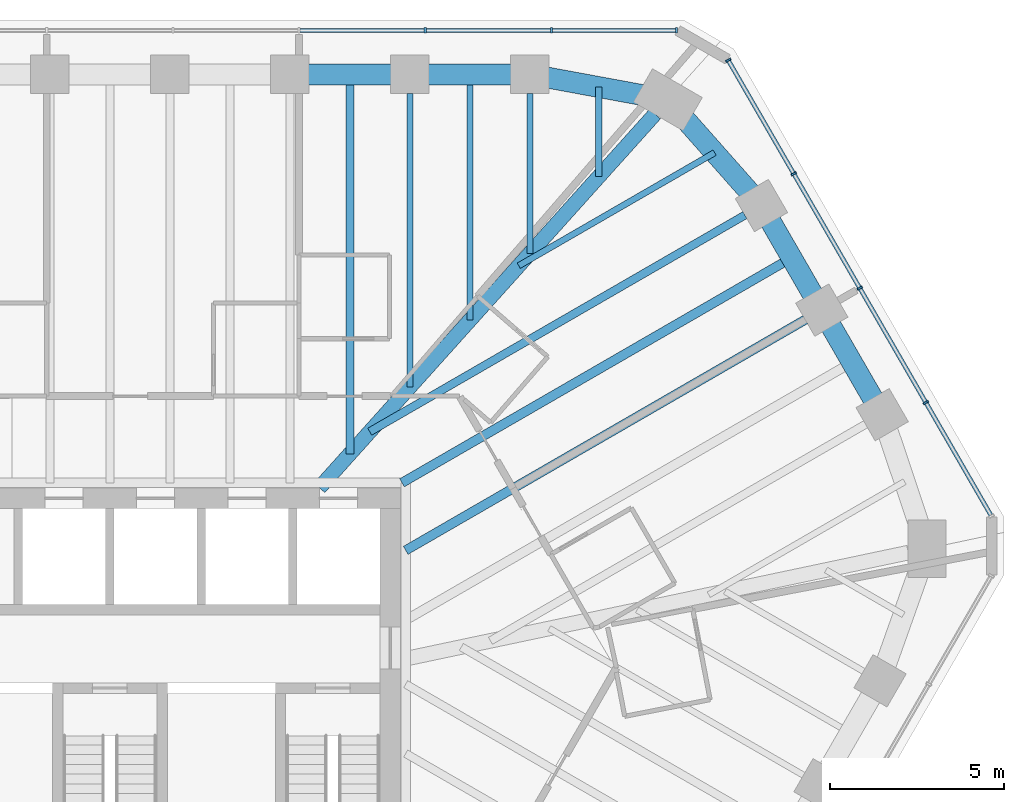
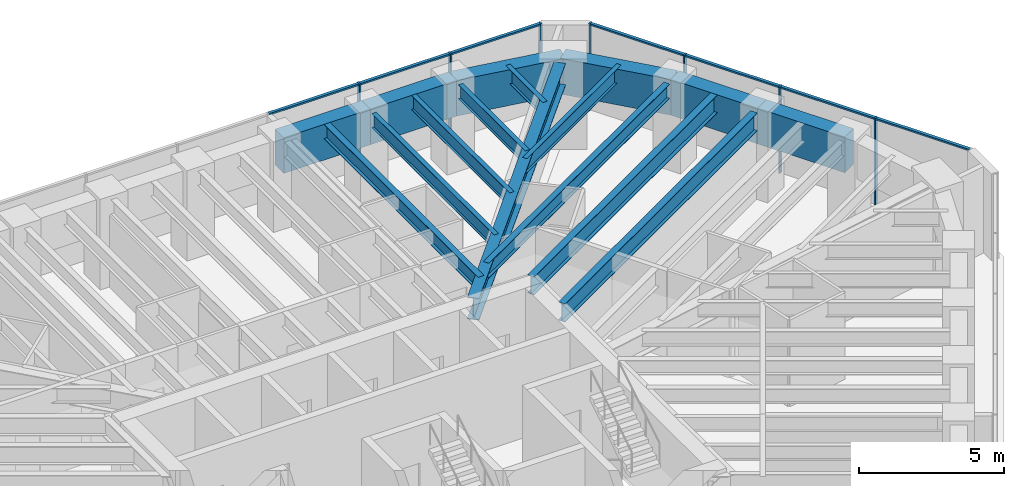
# One storey, part 7 of 14: 16 beams, 14 members, 2 elements without a shape of their own.
"""IFC4 building model written with IfcOpenShell, lengths in metres."""

from ifc_helpers import new_model, si_unit, direction, frame, origin, origin_2d, place, context, subcontext, project, spatial, rectangle, i_section, extrude, material, material_profile, profile_set, type_object, element, aggregate, save


model = new_model("IFC4")

# Units and contexts
model_context = context("Model", 3, precision=1e-05, world=origin(), true_north=direction((0.0, 1.0)))
body_context = subcontext(model_context, "Body", "Model", "MODEL_VIEW")
ifc_project = project(units=[si_unit("LENGTHUNIT", "METRE"), si_unit("AREAUNIT", "SQUARE_METRE"), si_unit("VOLUMEUNIT", "CUBIC_METRE"), si_unit("PLANEANGLEUNIT", "RADIAN"), si_unit("MASSUNIT", "GRAM", prefix="KILO")], contexts=[model_context])

# Site, building, storey
site_placement = place(None, origin())
site = spatial("IfcSite", under=ifc_project, at=site_placement, CompositionType="ELEMENT")
building_placement = place(site_placement, origin())
building = spatial("IfcBuilding", under=site, at=building_placement, Name="Sandreach Pilgrim Tower", CompositionType="ELEMENT")
storey_placement = place(building_placement, frame((0.0, 0.0, 283.60009765625)))
storey = spatial("IfcBuildingStorey", under=building, at=storey_placement, Name="L71", CompositionType="ELEMENT", Elevation=283.60009765625)

# Curtain wall, members
ifc_material_1 = material(Name="Aluminium framed curtain wall", Category="aluminium")
curtain_wall_type = type_object("IfcCurtainWallType", Name="Suite tower curtain wall", PredefinedType="NOTDEFINED", material=ifc_material_1)
curtain_wall_1_placement = place(storey_placement, origin())
curtain_wall_1 = element("IfcCurtainWall", 1, at=curtain_wall_1_placement, inside=storey, type_object=curtain_wall_type, Name="CW-4 L71 N", PredefinedType="NOTDEFINED")
ifc_material_2 = material(Name="Aluminium extrusion", Category="aluminium")
ifc_material_profile_1 = material_profile(ifc_material_2, rectangle(XDim=0.06005859375, YDim=0.159912109375, at=origin_2d()), Name="CW-4M 60X160")
ifc_profile_set_1 = profile_set([ifc_material_profile_1], Name="Aluminium extrusion")
member_type_1 = type_object("IfcMemberType", Name="CW-4 mullion", PredefinedType="MULLION", material=ifc_profile_set_1)
member_1_placement = place(storey_placement, frame((9.0546875, 19.826416015625, 0.0), z_axis=(0.0, 0.0, 1.0), x_axis=(1.0, 0.0, 0.0)))
member_1 = element("IfcMember", 2, at=member_1_placement, type_object=member_type_1, Name="CW-4 mullion 8", PredefinedType="MULLION", context=body_context, shape_type="SweptSolid", body=[
    extrude(rectangle(XDim=0.06005859375, YDim=0.159912109375, at=origin_2d()), origin(), (0.0, 0.0, 1.0), 3.639892578125),
])
member_2_placement = place(storey_placement, frame((12.676513671875, 19.826416015625, 0.0), z_axis=(0.0, 0.0, 1.0), x_axis=(1.0, 0.0, 0.0)))
member_2 = element("IfcMember", 3, at=member_2_placement, type_object=member_type_1, Name="CW-4 mullion 9", PredefinedType="MULLION", context=body_context, shape_type="SweptSolid", body=[
    extrude(rectangle(XDim=0.06005859375, YDim=0.159912109375, at=origin_2d()), origin(), (0.0, 0.0, 1.0), 3.639892578125),
])
member_3_placement = place(storey_placement, frame((16.268310546875, 19.826416015625, 0.0), z_axis=(0.0, 0.0, 1.0), x_axis=(1.0, 0.0, 0.0)))
member_3 = element("IfcMember", 4, at=member_3_placement, type_object=member_type_1, Name="CW-4 mullion 10", PredefinedType="MULLION", context=body_context, shape_type="SweptSolid", body=[
    extrude(rectangle(XDim=0.06005859375, YDim=0.159912109375, at=origin_2d()), origin(), (0.0, 0.0, 1.0), 3.639892578125),
])

curtain_wall_2_placement = place(storey_placement, origin())
curtain_wall_2 = element("IfcCurtainWall", 5, at=curtain_wall_2_placement, inside=storey, type_object=curtain_wall_type, Name="CW-4 L71 NE", PredefinedType="NOTDEFINED")
member_4_placement = place(storey_placement, frame((17.7509765625, 18.970458984375, 0.0), z_axis=(0.0, 0.0, 1.0), x_axis=(0.5, -0.866025403784, 0.0)))
member_4 = element("IfcMember", 6, at=member_4_placement, type_object=member_type_1, Name="CW-4 mullion 1", PredefinedType="MULLION", context=body_context, shape_type="SweptSolid", body=[
    extrude(rectangle(XDim=0.06005859375, YDim=0.159912109375, at=origin_2d()), origin(), (0.0, 0.0, 1.0), 3.639892578125),
])
member_5_placement = place(storey_placement, frame((19.6318359375, 15.712646484375, 0.0), z_axis=(0.0, 0.0, 1.0), x_axis=(0.5, -0.866025403784, 0.0)))
member_5 = element("IfcMember", 7, at=member_5_placement, type_object=member_type_1, Name="CW-4 mullion 2", PredefinedType="MULLION", context=body_context, shape_type="SweptSolid", body=[
    extrude(rectangle(XDim=0.06005859375, YDim=0.159912109375, at=origin_2d()), origin(), (0.0, 0.0, 1.0), 3.639892578125),
])
member_6_placement = place(storey_placement, frame((21.527587890625, 12.428955078125, 0.0), z_axis=(0.0, 0.0, 1.0), x_axis=(0.5, -0.866025403784, 0.0)))
member_6 = element("IfcMember", 8, at=member_6_placement, type_object=member_type_1, Name="CW-4 mullion 3", PredefinedType="MULLION", context=body_context, shape_type="SweptSolid", body=[
    extrude(rectangle(XDim=0.06005859375, YDim=0.159912109375, at=origin_2d()), origin(), (0.0, 0.0, 1.0), 3.639892578125),
])
member_7_placement = place(storey_placement, frame((23.423583984375, 9.145263671875, 0.0), z_axis=(0.0, 0.0, 1.0), x_axis=(0.5, -0.866025403784, 0.0)))
member_7 = element("IfcMember", 9, at=member_7_placement, type_object=member_type_1, Name="CW-4 mullion 4", PredefinedType="MULLION", context=body_context, shape_type="SweptSolid", body=[
    extrude(rectangle(XDim=0.06005859375, YDim=0.159912109375, at=origin_2d()), origin(), (0.0, 0.0, 1.0), 3.639892578125),
])

# Member
ifc_material_3 = material(Name="Aluminium extrusion", Category="aluminium")
ifc_material_profile_2 = material_profile(ifc_material_3, rectangle(XDim=0.1201171875, YDim=0.070068359375, at=origin_2d()), Name="CW-4T 120X70")
ifc_profile_set_2 = profile_set([ifc_material_profile_2], Name="Aluminium extrusion")
member_type_2 = type_object("IfcMemberType", Name="CW-4 transom", PredefinedType="USERDEFINED", material=ifc_profile_set_2)
member_8_placement = place(storey_placement, frame((5.462890625, 19.826416015625, 3.60498046875), z_axis=(1.0, 0.0, 0.0), x_axis=(0.0, 1.0, 0.0)))
member_8 = element("IfcMember", 10, at=member_8_placement, type_object=member_type_2, Name="CW-4 head transom 7", ObjectType="TRANSOM", PredefinedType="USERDEFINED", context=body_context, shape_type="SweptSolid", body=[
    extrude(rectangle(XDim=0.1201171875, YDim=0.070068359375, at=origin_2d()), origin(), (0.0, 0.0, 1.0), 3.561767578125),
])

member_9_placement = place(storey_placement, frame((9.084716796875, 19.826416015625, 3.60498046875), z_axis=(1.0, 0.0, 0.0), x_axis=(0.0, 1.0, 0.0)))
member_9 = element("IfcMember", 11, at=member_9_placement, type_object=member_type_2, Name="CW-4 head transom 8", ObjectType="TRANSOM", PredefinedType="USERDEFINED", context=body_context, shape_type="SweptSolid", body=[
    extrude(rectangle(XDim=0.1201171875, YDim=0.070068359375, at=origin_2d()), origin(), (0.0, 0.0, 1.0), 3.561767578125),
])

member_10_placement = place(storey_placement, frame((12.70654296875, 19.826416015625, 3.60498046875), z_axis=(1.0, 0.0, 0.0), x_axis=(0.0, 1.0, 0.0)))
member_10 = element("IfcMember", 12, at=member_10_placement, type_object=member_type_2, Name="CW-4 head transom 9", ObjectType="TRANSOM", PredefinedType="USERDEFINED", context=body_context, shape_type="SweptSolid", body=[
    extrude(rectangle(XDim=0.1201171875, YDim=0.070068359375, at=origin_2d()), origin(), (0.0, 0.0, 1.0), 3.53173828125),
])

aggregate(curtain_wall_1, [member_1, member_2, member_3, member_8, member_9, member_10])

member_11_placement = place(storey_placement, frame((17.76611328125, 18.944580078125, 3.60498046875), z_axis=(0.499990780478, -0.866030726613, 0.0), x_axis=(0.866030726613, 0.499990780478, 0.0)))
member_11 = element("IfcMember", 13, at=member_11_placement, type_object=member_type_2, Name="CW-4 head transom 1", ObjectType="TRANSOM", PredefinedType="USERDEFINED", context=body_context, shape_type="SweptSolid", body=[
    extrude(rectangle(XDim=0.1201171875, YDim=0.070068359375, at=origin_2d()), origin(), (0.0, 0.0, 1.0), 3.70166015625),
])

member_12_placement = place(storey_placement, frame((19.646728515625, 15.686767578125, 3.60498046875), z_axis=(0.500030151002, -0.866007995396, 0.0), x_axis=(0.866007995396, 0.500030151002, 0.0)))
member_12 = element("IfcMember", 14, at=member_12_placement, type_object=member_type_2, Name="CW-4 head transom 2", ObjectType="TRANSOM", PredefinedType="USERDEFINED", context=body_context, shape_type="SweptSolid", body=[
    extrude(rectangle(XDim=0.1201171875, YDim=0.070068359375, at=origin_2d()), origin(), (0.0, 0.0, 1.0), 3.731689453125),
])

member_13_placement = place(storey_placement, frame((21.542724609375, 12.403076171875, 3.60498046875), z_axis=(0.499981083104, -0.866036325184, 0.0), x_axis=(0.866036325184, 0.499981083104, 0.0)))
member_13 = element("IfcMember", 15, at=member_13_placement, type_object=member_type_2, Name="CW-4 head transom 3", ObjectType="TRANSOM", PredefinedType="USERDEFINED", context=body_context, shape_type="SweptSolid", body=[
    extrude(rectangle(XDim=0.1201171875, YDim=0.070068359375, at=origin_2d()), origin(), (0.0, 0.0, 1.0), 3.731689453125),
])

member_14_placement = place(storey_placement, frame((23.4384765625, 9.119384765625, 3.60498046875), z_axis=(0.499990780478, -0.866030726613, 0.0), x_axis=(0.866030726613, 0.499990780478, 0.0)))
member_14 = element("IfcMember", 16, at=member_14_placement, type_object=member_type_2, Name="CW-4 head transom 4", ObjectType="TRANSOM", PredefinedType="USERDEFINED", context=body_context, shape_type="SweptSolid", body=[
    extrude(rectangle(XDim=0.1201171875, YDim=0.070068359375, at=origin_2d()), origin(), (0.0, 0.0, 1.0), 3.70166015625),
])

aggregate(curtain_wall_2, [member_4, member_5, member_6, member_7, member_11, member_12, member_13, member_14])

# Beams
ifc_material_4 = material(Name="Steel ASTM A992 Grade 50", Category="steel")
ifc_material_profile_3 = material_profile(ifc_material_4, i_section(OverallWidth=0.419189453125, OverallDepth=0.927001953125, WebThickness=0.019287109375, FlangeThickness=0.031982421875, at=origin_2d()), Name="W36X231")
ifc_profile_set_3 = profile_set([ifc_material_profile_3], Name="Steel ASTM A992 Grade 50")
beam_type_1 = type_object("IfcBeamType", Name="Corner girder W36X231", PredefinedType="BEAM", material=ifc_profile_set_3)
beam_1_placement = place(storey_placement, frame((15.649169921875, 17.427978515625, 3.17626953125), z_axis=(-0.668114851597, -0.74405815974, 0.0), x_axis=(0.74405815974, -0.668114851597, 0.0)))
element("IfcBeam", 17, at=beam_1_placement, inside=storey, type_object=beam_type_1, Name="BM L71 CG09", PredefinedType="BEAM", context=body_context, shape_type="SweptSolid", body=[
    extrude(i_section(OverallWidth=0.419189453125, OverallDepth=0.927001953125, WebThickness=0.019287109375, FlangeThickness=0.031982421875, at=origin_2d()), origin(), (0.0, 0.0, 1.0), 14.418212890625),
])
ifc_material_5 = material(Name="Steel ASTM A992 Grade 50", Category="steel")
ifc_material_profile_4 = material_profile(ifc_material_5, i_section(OverallWidth=0.1787109375, OverallDepth=0.60205078125, WebThickness=0.010986328125, FlangeThickness=0.014892578125, at=origin_2d()), Name="W24X62")
ifc_profile_set_4 = profile_set([ifc_material_profile_4], Name="Steel ASTM A992 Grade 50")
beam_type_2 = type_object("IfcBeamType", Name="Floor beam W24X62", PredefinedType="BEAM", material=ifc_profile_set_4)
beam_2_placement = place(storey_placement, frame((8.612548828125, 18.016357421875, 3.3388671875), z_axis=(0.0, -1.0, 0.0), x_axis=(1.0, 0.0, 0.0)))
element("IfcBeam", 18, at=beam_2_placement, inside=storey, type_object=beam_type_2, Name="BM L71 F07", PredefinedType="BEAM", context=body_context, shape_type="SweptSolid", body=[
    extrude(i_section(OverallWidth=0.1787109375, OverallDepth=0.60205078125, WebThickness=0.010986328125, FlangeThickness=0.014892578125, at=origin_2d()), origin(), (0.0, 0.0, 1.0), 8.4248046875),
])
beam_3_placement = place(storey_placement, frame((12.0576171875, 18.016357421875, 3.3388671875), z_axis=(0.0, -1.0, 0.0), x_axis=(1.0, 0.0, 0.0)))
element("IfcBeam", 19, at=beam_3_placement, inside=storey, type_object=beam_type_2, Name="BM L71 F08", PredefinedType="BEAM", context=body_context, shape_type="SweptSolid", body=[
    extrude(i_section(OverallWidth=0.1787109375, OverallDepth=0.60205078125, WebThickness=0.010986328125, FlangeThickness=0.014892578125, at=origin_2d()), origin(), (0.0, 0.0, 1.0), 4.58837890625),
])
beam_4_placement = place(storey_placement, frame((10.3349609375, 18.56640625, 3.3388671875), z_axis=(0.0, -1.0, 0.0), x_axis=(1.0, 0.0, 0.0)))
element("IfcBeam", 20, at=beam_4_placement, inside=storey, type_object=beam_type_2, Name="BM L71 FM07", PredefinedType="BEAM", context=body_context, shape_type="SweptSolid", body=[
    extrude(i_section(OverallWidth=0.1787109375, OverallDepth=0.60205078125, WebThickness=0.010986328125, FlangeThickness=0.014892578125, at=origin_2d()), origin(), (0.0, 0.0, 1.0), 7.056640625),
])
beam_5_placement = place(storey_placement, frame((14.037109375, 18.201904296875, 3.3388671875), z_axis=(0.0, -1.0, 0.0), x_axis=(1.0, 0.0, 0.0)))
element("IfcBeam", 21, at=beam_5_placement, inside=storey, type_object=beam_type_2, Name="BM L71 FM08", PredefinedType="BEAM", context=body_context, shape_type="SweptSolid", body=[
    extrude(i_section(OverallWidth=0.1787109375, OverallDepth=0.60205078125, WebThickness=0.010986328125, FlangeThickness=0.014892578125, at=origin_2d()), origin(), (0.0, 0.0, 1.0), 2.5693359375),
])
beam_6_placement = place(storey_placement, frame((17.360107421875, 16.31884765625, 3.3388671875), z_axis=(-0.866023980233, -0.500002465655, 0.0), x_axis=(0.500002465655, -0.866023980233, 0.0)))
element("IfcBeam", 22, at=beam_6_placement, inside=storey, type_object=beam_type_2, Name="BM L71 FM09", PredefinedType="BEAM", context=body_context, shape_type="SweptSolid", body=[
    extrude(i_section(OverallWidth=0.1787109375, OverallDepth=0.60205078125, WebThickness=0.010986328125, FlangeThickness=0.014892578125, at=origin_2d()), origin(), (0.0, 0.0, 1.0), 6.49072265625),
])
ifc_material_6 = material(Name="Steel ASTM A992 Grade 50", Category="steel")
ifc_material_profile_5 = material_profile(ifc_material_6, i_section(OverallWidth=0.23046875, OverallDepth=0.6171875, WebThickness=0.01318359375, FlangeThickness=0.022216796875, at=origin_2d()), Name="W24X94")
ifc_profile_set_5 = profile_set([ifc_material_profile_5], Name="Steel ASTM A992 Grade 50")
beam_type_3 = type_object("IfcBeamType", Name="Floor beam W24X94", PredefinedType="BEAM", material=ifc_profile_set_5)
beam_7_placement = place(storey_placement, frame((18.227294921875, 14.525390625, 3.331298828125), z_axis=(-0.866020427415, -0.500008619226, 0.0), x_axis=(0.500008619226, -0.866020427415, 0.0)))
element("IfcBeam", 23, at=beam_7_placement, inside=storey, type_object=beam_type_3, Name="BM L71 F10", PredefinedType="BEAM", context=body_context, shape_type="SweptSolid", body=[
    extrude(i_section(OverallWidth=0.23046875, OverallDepth=0.6171875, WebThickness=0.01318359375, FlangeThickness=0.022216796875, at=origin_2d()), origin(), (0.0, 0.0, 1.0), 12.431396484375),
])
beam_8_placement = place(storey_placement, frame((6.89013671875, 18.56640625, 3.331298828125), z_axis=(0.0, -1.0, 0.0), x_axis=(1.0, 0.0, 0.0)))
element("IfcBeam", 24, at=beam_8_placement, inside=storey, type_object=beam_type_3, Name="BM L71 FM06", PredefinedType="BEAM", context=body_context, shape_type="SweptSolid", body=[
    extrude(i_section(OverallWidth=0.23046875, OverallDepth=0.6171875, WebThickness=0.01318359375, FlangeThickness=0.022216796875, at=origin_2d()), origin(), (0.0, 0.0, 1.0), 10.893310546875),
])
ifc_material_7 = material(Name="Steel ASTM A992 Grade 50", Category="steel")
ifc_material_profile_6 = material_profile(ifc_material_7, i_section(OverallWidth=0.2666015625, OverallDepth=0.761962890625, WebThickness=0.014404296875, FlangeThickness=0.021484375, at=origin_2d()), Name="W30X116")
ifc_profile_set_6 = profile_set([ifc_material_profile_6], Name="Steel ASTM A992 Grade 50")
beam_type_4 = type_object("IfcBeamType", Name="Floor beam W30X116", PredefinedType="BEAM", material=ifc_profile_set_6)
beam_9_placement = place(storey_placement, frame((19.960205078125, 11.52392578125, 3.2587890625), z_axis=(-0.86602530353, -0.500000173646, 0.0), x_axis=(0.500000173646, -0.86602530353, 0.0)))
element("IfcBeam", 25, at=beam_9_placement, inside=storey, type_object=beam_type_4, Name="BM L71 F11", PredefinedType="BEAM", context=body_context, shape_type="SweptSolid", body=[
    extrude(i_section(OverallWidth=0.2666015625, OverallDepth=0.761962890625, WebThickness=0.014404296875, FlangeThickness=0.021484375, at=origin_2d()), origin(), (0.0, 0.0, 1.0), 13.24072265625),
])
beam_10_placement = place(storey_placement, frame((19.570068359375, 13.299560546875, 3.2587890625), z_axis=(-0.866025008595, -0.500000684488, 0.0), x_axis=(0.500000684488, -0.866025008595, 0.0)))
element("IfcBeam", 26, at=beam_10_placement, inside=storey, type_object=beam_type_4, Name="BM L71 FM10", PredefinedType="BEAM", context=body_context, shape_type="SweptSolid", body=[
    extrude(i_section(OverallWidth=0.2666015625, OverallDepth=0.761962890625, WebThickness=0.014404296875, FlangeThickness=0.021484375, at=origin_2d()), origin(), (0.0, 0.0, 1.0), 12.91259765625),
])
ifc_material_8 = material(Name="Concrete 10000 psi", Category="concrete")
ifc_material_profile_7 = material_profile(ifc_material_8, rectangle(XDim=0.60009765625, YDim=1.5, at=origin_2d()), Name="RC600X1500")
ifc_profile_set_7 = profile_set([ifc_material_profile_7], Name="Concrete 10000 psi")
beam_type_5 = type_object("IfcBeamType", Name="Spandrel beam RC600X1500", PredefinedType="SPANDREL", material=ifc_profile_set_7)
for number, where, z_axis, x_axis, name in (
    (27, (5.16748046875, 18.56640625, 2.889892578125), (1.0, 0.0, 0.0), (0.0, 1.0, 0.0), "BM L71 SP06"),
    (28, (8.612548828125, 18.56640625, 2.889892578125), (1.0, 0.0, 0.0), (0.0, 1.0, 0.0), "BM L71 SP07"),
):
    element("IfcBeam", number, at=place(storey_placement, frame(where, z_axis=z_axis, x_axis=x_axis)), inside=storey, type_object=beam_type_5, Name=name, PredefinedType="SPANDREL", context=body_context, shape_type="SweptSolid", body=[
        extrude(rectangle(XDim=0.60009765625, YDim=1.5, at=origin_2d()), origin(), (0.0, 0.0, 1.0), 3.445068359375),
    ])
beam_11_placement = place(storey_placement, frame((12.0576171875, 18.56640625, 2.889892578125), z_axis=(0.983454894629, -0.181153167875, 0.0), x_axis=(0.181153167875, 0.983454894629, 0.0)))
element("IfcBeam", 29, at=beam_11_placement, inside=storey, type_object=beam_type_5, Name="BM L71 SP08", PredefinedType="SPANDREL", context=body_context, shape_type="SweptSolid", body=[
    extrude(rectangle(XDim=0.60009765625, YDim=1.5, at=origin_2d()), origin(), (0.0, 0.0, 1.0), 4.025634765625),
])
beam_12_placement = place(storey_placement, frame((16.0166015625, 17.837158203125, 2.889892578125), z_axis=(0.662650525414, -0.748928755736, 0.0), x_axis=(0.748928755736, 0.662650525414, 0.0)))
element("IfcBeam", 30, at=beam_12_placement, inside=storey, type_object=beam_type_5, Name="BM L71 SP09", PredefinedType="SPANDREL", context=body_context, shape_type="SweptSolid", body=[
    extrude(rectangle(XDim=0.60009765625, YDim=1.5, at=origin_2d()), origin(), (0.0, 0.0, 1.0), 4.054931640625),
])
for number, where, z_axis, x_axis, name in (
    (31, (18.70361328125, 14.80029296875, 2.889892578125), (0.500033451825, -0.866006089503, 0.0), (0.866006089503, 0.500033451825, 0.0), "BM L71 SP10"),
    (32, (20.4365234375, 11.799072265625, 2.889892578125), (0.499980616072, -0.866036594811, 0.0), (0.866036594811, 0.499980616072, 0.0), "BM L71 SP11"),
):
    element("IfcBeam", number, at=place(storey_placement, frame(where, z_axis=z_axis, x_axis=x_axis)), inside=storey, type_object=beam_type_5, Name=name, PredefinedType="SPANDREL", context=body_context, shape_type="SweptSolid", body=[
        extrude(rectangle(XDim=0.60009765625, YDim=1.5, at=origin_2d()), origin(), (0.0, 0.0, 1.0), 3.465576171875),
    ])

save(model, "model.ifc")
